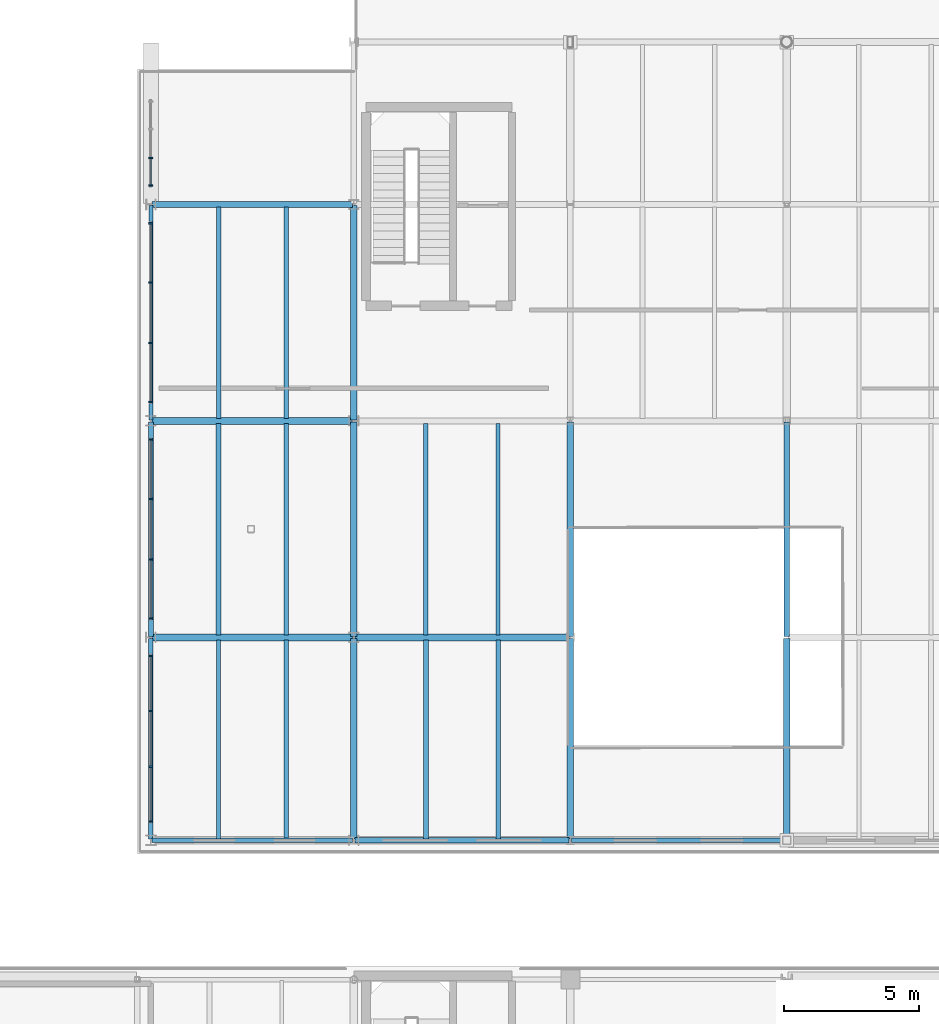
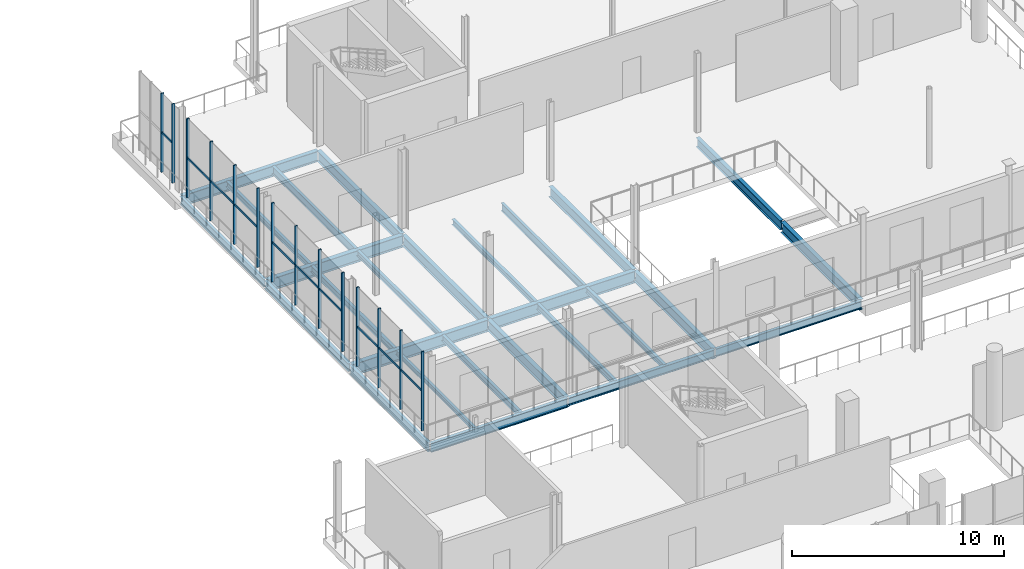
# One storey, part 33 of 93: 27 beams, 24 members, 4 elements without a shape of their own.
"""IFC4 building model written with IfcOpenShell, lengths in metres."""

from ifc_helpers import new_model, si_unit, direction, frame, origin, origin_2d, place, context, subcontext, project, spatial, rectangle, i_section, extrude, material, material_profile, profile_set, type_object, element, aggregate, save


model = new_model("IFC4")

# Units and contexts
model_context = context("Model", 3, precision=1e-05, world=origin(), true_north=direction((0.0, 1.0)))
body_context = subcontext(model_context, "Body", "Model", "MODEL_VIEW")
ifc_project = project(units=[si_unit("LENGTHUNIT", "METRE"), si_unit("AREAUNIT", "SQUARE_METRE"), si_unit("VOLUMEUNIT", "CUBIC_METRE"), si_unit("PLANEANGLEUNIT", "RADIAN"), si_unit("MASSUNIT", "GRAM", prefix="KILO")], contexts=[model_context])

# Site, building, storey
site_placement = place(None, origin())
site = spatial("IfcSite", under=ifc_project, at=site_placement, CompositionType="ELEMENT")
building_placement = place(site_placement, origin())
building = spatial("IfcBuilding", under=site, at=building_placement, Name="Brisemont Oceanarium", CompositionType="ELEMENT")
storey_placement = place(building_placement, frame((0.0, 0.0, 5.39990234375)))
storey = spatial("IfcBuildingStorey", under=building, at=storey_placement, Name="L01", CompositionType="ELEMENT", Elevation=5.39990234375)

# Beams
ifc_material_1 = material(Name="Structural Steel ASTM A992 Gr.50", Category="steel")
ifc_material_profile_1 = material_profile(ifc_material_1, i_section(OverallWidth=0.14599609375, OverallDepth=0.259033203125, WebThickness=0.006103515625, FlangeThickness=0.009033203125, FilletRadius=0.008056640625, at=origin_2d()), Name="W10X22")
ifc_profile_set_1 = profile_set([ifc_material_profile_1], Name="Structural Steel ASTM A992 Gr.50")
beam_type_1 = type_object("IfcBeamType", Name="BM-W10X22", PredefinedType="LINTEL", material=ifc_profile_set_1)
beam_1_placement = place(storey_placement, frame((19.0, 36.5400390625, -0.429443359375), z_axis=(0.0, 1.0, 0.0), x_axis=(-1.0, 0.0, 0.0)))
element("IfcBeam", 1, at=beam_1_placement, inside=storey, type_object=beam_type_1, Name="V5W L01 secondary floor beam", PredefinedType="LINTEL", context=body_context, shape_type="SweptSolid", body=[
    extrude(i_section(OverallWidth=0.14599609375, OverallDepth=0.259033203125, WebThickness=0.006103515625, FlangeThickness=0.009033203125, FilletRadius=0.008056640625, at=origin_2d()), origin(), (0.0, 0.0, 1.0), 7.369873046875),
])
ifc_material_2 = material(Name="Structural Steel ASTM A992 Gr.50", Category="steel")
ifc_material_profile_2 = material_profile(ifc_material_2, i_section(OverallWidth=0.1650390625, OverallDepth=0.31005859375, WebThickness=0.005859375, FlangeThickness=0.009765625, FilletRadius=0.008056640625, at=origin_2d()), Name="W12X26")
ifc_profile_set_2 = profile_set([ifc_material_profile_2], Name="Structural Steel ASTM A992 Gr.50")
beam_type_2 = type_object("IfcBeamType", Name="BM-W12X26", PredefinedType="JOIST", material=ifc_profile_set_2)
for number, where, z_axis, x_axis, name in (
    (2, (21.5, 44.090087890625, -0.454833984375), (0.0, 1.0, 0.0), (-1.0, 0.0, 0.0), "V5W L01 secondary floor beam"),
    (3, (19.0, 52.090087890625, -0.454833984375), (0.0, 1.0, 0.0), (-1.0, 0.0, 0.0), "V5W L01 secondary floor beam"),
):
    element("IfcBeam", number, at=place(storey_placement, frame(where, z_axis=z_axis, x_axis=x_axis)), inside=storey, type_object=beam_type_2, Name=name, PredefinedType="JOIST", context=body_context, shape_type="SweptSolid", body=[
        extrude(i_section(OverallWidth=0.1650390625, OverallDepth=0.31005859375, WebThickness=0.005859375, FlangeThickness=0.009765625, FilletRadius=0.008056640625, at=origin_2d()), origin(), (0.0, 0.0, 1.0), 7.81982421875),
    ])
beam_2_placement = place(storey_placement, frame((29.333251953125, 36.5400390625, -0.454833984375), z_axis=(0.0, 1.0, 0.0), x_axis=(-1.0, 0.0, 0.0)))
element("IfcBeam", 4, at=beam_2_placement, inside=storey, type_object=beam_type_2, Name="V5W L01 secondary floor beam", PredefinedType="JOIST", context=body_context, shape_type="SweptSolid", body=[
    extrude(i_section(OverallWidth=0.1650390625, OverallDepth=0.31005859375, WebThickness=0.005859375, FlangeThickness=0.009765625, FilletRadius=0.008056640625, at=origin_2d()), origin(), (0.0, 0.0, 1.0), 7.369873046875),
])
beam_3_placement = place(storey_placement, frame((26.666748046875, 44.090087890625, -0.454833984375), z_axis=(0.0, 1.0, 0.0), x_axis=(-1.0, 0.0, 0.0)))
element("IfcBeam", 5, at=beam_3_placement, inside=storey, type_object=beam_type_2, Name="V5W L01 secondary floor beam", PredefinedType="JOIST", context=body_context, shape_type="SweptSolid", body=[
    extrude(i_section(OverallWidth=0.1650390625, OverallDepth=0.31005859375, WebThickness=0.005859375, FlangeThickness=0.009765625, FilletRadius=0.008056640625, at=origin_2d()), origin(), (0.0, 0.0, 1.0), 7.81982421875),
])
ifc_material_3 = material(Name="Structural Steel ASTM A992 Gr.50", Category="steel")
ifc_material_profile_3 = material_profile(ifc_material_3, i_section(OverallWidth=0.1708984375, OverallDepth=0.35107421875, WebThickness=0.0068359375, FlangeThickness=0.009765625, FilletRadius=0.010009765625, at=origin_2d()), Name="W14X30")
ifc_profile_set_3 = profile_set([ifc_material_profile_3], Name="Structural Steel ASTM A992 Gr.50")
beam_type_3 = type_object("IfcBeamType", Name="BM-W14X30", PredefinedType="JOIST", material=ifc_profile_set_3)
beam_4_placement = place(storey_placement, frame((21.5, 36.5400390625, -0.475341796875), z_axis=(0.0, 1.0, 0.0), x_axis=(-1.0, 0.0, 0.0)))
element("IfcBeam", 6, at=beam_4_placement, inside=storey, type_object=beam_type_3, Name="V5W L01 secondary floor beam", PredefinedType="JOIST", context=body_context, shape_type="SweptSolid", body=[
    extrude(i_section(OverallWidth=0.1708984375, OverallDepth=0.35107421875, WebThickness=0.0068359375, FlangeThickness=0.009765625, FilletRadius=0.010009765625, at=origin_2d()), origin(), (0.0, 0.0, 1.0), 7.369873046875),
])
beam_5_placement = place(storey_placement, frame((19.0, 44.090087890625, -0.475341796875), z_axis=(0.0, 1.0, 0.0), x_axis=(-1.0, 0.0, 0.0)))
element("IfcBeam", 7, at=beam_5_placement, inside=storey, type_object=beam_type_3, Name="V5W L01 secondary floor beam", PredefinedType="JOIST", context=body_context, shape_type="SweptSolid", body=[
    extrude(i_section(OverallWidth=0.1708984375, OverallDepth=0.35107421875, WebThickness=0.0068359375, FlangeThickness=0.009765625, FilletRadius=0.010009765625, at=origin_2d()), origin(), (0.0, 0.0, 1.0), 7.81982421875),
])
beam_6_placement = place(storey_placement, frame((26.666748046875, 36.5400390625, -0.475341796875), z_axis=(0.0, 1.0, 0.0), x_axis=(-1.0, 0.0, 0.0)))
element("IfcBeam", 8, at=beam_6_placement, inside=storey, type_object=beam_type_3, Name="V5W L01 secondary floor beam", PredefinedType="JOIST", context=body_context, shape_type="SweptSolid", body=[
    extrude(i_section(OverallWidth=0.1708984375, OverallDepth=0.35107421875, WebThickness=0.0068359375, FlangeThickness=0.009765625, FilletRadius=0.010009765625, at=origin_2d()), origin(), (0.0, 0.0, 1.0), 7.369873046875),
])
ifc_material_4 = material(Name="Structural Steel ASTM A992 Gr.50", Category="steel")
ifc_material_profile_4 = material_profile(ifc_material_4, i_section(OverallWidth=0.153076171875, OverallDepth=0.455078125, WebThickness=0.008056640625, FlangeThickness=0.01318359375, FilletRadius=0.010986328125, at=origin_2d()), Name="W18X40")
ifc_profile_set_4 = profile_set([ifc_material_profile_4], Name="Structural Steel ASTM A992 Gr.50")
beam_type_4 = type_object("IfcBeamType", Name="BM-W18X40", PredefinedType="JOIST", material=ifc_profile_set_4)
for number, where, z_axis, x_axis, name in (
    (9, (21.5, 52.090087890625, -0.52734375), (0.0, 1.0, 0.0), (-1.0, 0.0, 0.0), "V5W L01 secondary floor beam"),
    (10, (29.333251953125, 44.090087890625, -0.52734375), (0.0, 1.0, 0.0), (-1.0, 0.0, 0.0), "V5W L01 secondary floor beam"),
):
    element("IfcBeam", number, at=place(storey_placement, frame(where, z_axis=z_axis, x_axis=x_axis)), inside=storey, type_object=beam_type_4, Name=name, PredefinedType="JOIST", context=body_context, shape_type="SweptSolid", body=[
        extrude(i_section(OverallWidth=0.153076171875, OverallDepth=0.455078125, WebThickness=0.008056640625, FlangeThickness=0.01318359375, FilletRadius=0.010986328125, at=origin_2d()), origin(), (0.0, 0.0, 1.0), 7.81982421875),
    ])
ifc_material_5 = material(Name="Structural Steel ASTM A992 Gr.50", Category="steel")
ifc_material_profile_5 = material_profile(ifc_material_5, i_section(OverallWidth=0.154052734375, OverallDepth=0.458984375, WebThickness=0.009033203125, FlangeThickness=0.015380859375, FilletRadius=0.010986328125, at=origin_2d()), Name="W18X46")
ifc_profile_set_5 = profile_set([ifc_material_profile_5], Name="Structural Steel ASTM A992 Gr.50")
beam_type_5 = type_object("IfcBeamType", Name="BM-W18X46", PredefinedType="SPANDREL", material=ifc_profile_set_5)
for number, where, z_axis, x_axis, name in (
    (11, (32.0400390625, 36.5, -0.529296875), (1.0, 0.0, 0.0), (0.0, 1.0, 0.0), "V5W L01 EW girder"),
    (12, (16.5, 52.0400390625, -0.529296875), (0.0, 1.0, 0.0), (-1.0, 0.0, 0.0), "V5W L01 NS girder"),
):
    element("IfcBeam", number, at=place(storey_placement, frame(where, z_axis=z_axis, x_axis=x_axis)), inside=storey, type_object=beam_type_5, Name=name, PredefinedType="SPANDREL", context=body_context, shape_type="SweptSolid", body=[
        extrude(i_section(OverallWidth=0.154052734375, OverallDepth=0.458984375, WebThickness=0.009033203125, FlangeThickness=0.015380859375, FilletRadius=0.010986328125, at=origin_2d()), origin(), (0.0, 0.0, 1.0), 7.919921875),
    ])
ifc_material_6 = material(Name="Structural Steel ASTM A992 Gr.50", Category="steel")
ifc_material_profile_6 = material_profile(ifc_material_6, i_section(OverallWidth=0.19091796875, OverallDepth=0.4599609375, WebThickness=0.010009765625, FlangeThickness=0.01611328125, FilletRadius=0.010986328125, at=origin_2d()), Name="W18X55")
ifc_profile_set_6 = profile_set([ifc_material_profile_6], Name="Structural Steel ASTM A992 Gr.50")
beam_type_6 = type_object("IfcBeamType", Name="BM-W18X55", PredefinedType="SPANDREL", material=ifc_profile_set_6)
for number, where, z_axis, x_axis, name in (
    (13, (24.0400390625, 36.5, -0.52978515625), (1.0, 0.0, 0.0), (0.0, 1.0, 0.0), "V5W L01 EW girder"),
    (14, (16.5, 44.0400390625, -0.52978515625), (0.0, 1.0, 0.0), (-1.0, 0.0, 0.0), "V5W L01 NS girder"),
):
    element("IfcBeam", number, at=place(storey_placement, frame(where, z_axis=z_axis, x_axis=x_axis)), inside=storey, type_object=beam_type_6, Name=name, PredefinedType="SPANDREL", context=body_context, shape_type="SweptSolid", body=[
        extrude(i_section(OverallWidth=0.19091796875, OverallDepth=0.4599609375, WebThickness=0.010009765625, FlangeThickness=0.01611328125, FilletRadius=0.010986328125, at=origin_2d()), origin(), (0.0, 0.0, 1.0), 7.919921875),
    ])
ifc_material_7 = material(Name="Structural Steel ASTM A992 Gr.50", Category="steel")
ifc_material_profile_7 = material_profile(ifc_material_7, i_section(OverallWidth=0.166015625, OverallDepth=0.528076171875, WebThickness=0.009765625, FlangeThickness=0.013671875, FilletRadius=0.012939453125, at=origin_2d()), Name="W21X50")
ifc_profile_set_7 = profile_set([ifc_material_profile_7], Name="Structural Steel ASTM A992 Gr.50")
beam_type_7 = type_object("IfcBeamType", Name="BM-W21X50", PredefinedType="SPANDREL", material=ifc_profile_set_7)
for number, where, z_axis, x_axis, name in (
    (15, (16.5400390625, 36.5, -0.56396484375), (1.0, 0.0, 0.0), (0.0, 1.0, 0.0), "V5W L01 EW girder"),
    (16, (16.5, 36.5400390625, -0.56396484375), (0.0, 1.0, 0.0), (-1.0, 0.0, 0.0), "V5W L01 NS girder"),
):
    element("IfcBeam", number, at=place(storey_placement, frame(where, z_axis=z_axis, x_axis=x_axis)), inside=storey, type_object=beam_type_7, Name=name, PredefinedType="SPANDREL", context=body_context, shape_type="SweptSolid", body=[
        extrude(i_section(OverallWidth=0.166015625, OverallDepth=0.528076171875, WebThickness=0.009765625, FlangeThickness=0.013671875, FilletRadius=0.012939453125, at=origin_2d()), origin(), (0.0, 0.0, 1.0), 7.419921875),
    ])
ifc_material_8 = material(Name="Structural Steel ASTM A992 Gr.50", Category="steel")
ifc_material_profile_8 = material_profile(ifc_material_8, i_section(OverallWidth=0.2099609375, OverallDepth=0.532958984375, WebThickness=0.01025390625, FlangeThickness=0.015625, FilletRadius=0.012939453125, at=origin_2d()), Name="W21X62")
ifc_profile_set_8 = profile_set([ifc_material_profile_8], Name="Structural Steel ASTM A992 Gr.50")
beam_type_8 = type_object("IfcBeamType", Name="BM-W21X62", PredefinedType="BEAM", material=ifc_profile_set_8)
beam_7_placement = place(storey_placement, frame((40.0, 44.0400390625, -0.56640625), z_axis=(0.0, 1.0, 0.0), x_axis=(-1.0, 0.0, 0.0)))
element("IfcBeam", 17, at=beam_7_placement, inside=storey, type_object=beam_type_8, Name="V5W L01 NS girder", PredefinedType="BEAM", context=body_context, shape_type="SweptSolid", body=[
    extrude(i_section(OverallWidth=0.2099609375, OverallDepth=0.532958984375, WebThickness=0.01025390625, FlangeThickness=0.015625, FilletRadius=0.012939453125, at=origin_2d()), origin(), (0.0, 0.0, 1.0), 7.919921875),
])
ifc_material_9 = material(Name="Structural Steel ASTM A992 Gr.50", Category="steel")
ifc_material_profile_9 = material_profile(ifc_material_9, i_section(OverallWidth=0.22802734375, OverallDepth=0.60205078125, WebThickness=0.010498046875, FlangeThickness=0.014892578125, FilletRadius=0.012939453125, at=origin_2d()), Name="W24X68")
ifc_profile_set_9 = profile_set([ifc_material_profile_9], Name="Structural Steel ASTM A992 Gr.50")
beam_type_9 = type_object("IfcBeamType", Name="BM-W24X68", PredefinedType="BEAM", material=ifc_profile_set_9)
for number, where, z_axis, x_axis, name in (
    (18, (24.0, 52.0400390625, -0.600830078125), (0.0, 1.0, 0.0), (-1.0, 0.0, 0.0), "V5W L01 NS girder"),
    (19, (32.0, 44.0400390625, -0.600830078125), (0.0, 1.0, 0.0), (-1.0, 0.0, 0.0), "V5W L01 NS girder"),
):
    element("IfcBeam", number, at=place(storey_placement, frame(where, z_axis=z_axis, x_axis=x_axis)), inside=storey, type_object=beam_type_9, Name=name, PredefinedType="BEAM", context=body_context, shape_type="SweptSolid", body=[
        extrude(i_section(OverallWidth=0.22802734375, OverallDepth=0.60205078125, WebThickness=0.010498046875, FlangeThickness=0.014892578125, FilletRadius=0.012939453125, at=origin_2d()), origin(), (0.0, 0.0, 1.0), 7.919921875),
    ])
beam_8_placement = place(storey_placement, frame((40.0, 36.5400390625, -0.600830078125), z_axis=(0.0, 1.0, 0.0), x_axis=(-1.0, 0.0, 0.0)))
element("IfcBeam", 20, at=beam_8_placement, inside=storey, type_object=beam_type_9, Name="V5W L01 NS girder", PredefinedType="BEAM", context=body_context, shape_type="SweptSolid", body=[
    extrude(i_section(OverallWidth=0.22802734375, OverallDepth=0.60205078125, WebThickness=0.010498046875, FlangeThickness=0.014892578125, FilletRadius=0.012939453125, at=origin_2d()), origin(), (0.0, 0.0, 1.0), 7.419921875),
])
ifc_material_10 = material(Name="Structural Steel ASTM A992 Gr.50", Category="steel")
ifc_material_profile_10 = material_profile(ifc_material_10, i_section(OverallWidth=0.22802734375, OverallDepth=0.60791015625, WebThickness=0.01123046875, FlangeThickness=0.017333984375, FilletRadius=0.012939453125, at=origin_2d()), Name="W24X76")
ifc_profile_set_10 = profile_set([ifc_material_profile_10], Name="Structural Steel ASTM A992 Gr.50")
beam_type_10 = type_object("IfcBeamType", Name="BM-W24X76", PredefinedType="BEAM", material=ifc_profile_set_10)
beam_9_placement = place(storey_placement, frame((24.0, 44.0400390625, -0.60400390625), z_axis=(0.0, 1.0, 0.0), x_axis=(-1.0, 0.0, 0.0)))
element("IfcBeam", 21, at=beam_9_placement, inside=storey, type_object=beam_type_10, Name="V5W L01 NS girder", PredefinedType="BEAM", context=body_context, shape_type="SweptSolid", body=[
    extrude(i_section(OverallWidth=0.22802734375, OverallDepth=0.60791015625, WebThickness=0.01123046875, FlangeThickness=0.017333984375, FilletRadius=0.012939453125, at=origin_2d()), origin(), (0.0, 0.0, 1.0), 7.919921875),
])
beam_10_placement = place(storey_placement, frame((32.0, 36.5400390625, -0.60400390625), z_axis=(0.0, 1.0, 0.0), x_axis=(-1.0, 0.0, 0.0)))
element("IfcBeam", 22, at=beam_10_placement, inside=storey, type_object=beam_type_10, Name="V5W L01 NS girder", PredefinedType="BEAM", context=body_context, shape_type="SweptSolid", body=[
    extrude(i_section(OverallWidth=0.22802734375, OverallDepth=0.60791015625, WebThickness=0.01123046875, FlangeThickness=0.017333984375, FilletRadius=0.012939453125, at=origin_2d()), origin(), (0.0, 0.0, 1.0), 7.419921875),
])
ifc_material_11 = material(Name="Structural Steel ASTM A992 Gr.50", Category="steel")
ifc_material_profile_11 = material_profile(ifc_material_11, i_section(OverallWidth=0.22900390625, OverallDepth=0.612060546875, WebThickness=0.011962890625, FlangeThickness=0.01953125, FilletRadius=0.012939453125, at=origin_2d()), Name="W24X84")
ifc_profile_set_11 = profile_set([ifc_material_profile_11], Name="Structural Steel ASTM A992 Gr.50")
beam_type_11 = type_object("IfcBeamType", Name="BM-W24X84", PredefinedType="BEAM", material=ifc_profile_set_11)
for number, where, z_axis, x_axis, name in (
    (23, (16.5400390625, 60.0, -0.60595703125), (1.0, 0.0, 0.0), (0.0, 1.0, 0.0), "V5W L01 EW girder"),
    (24, (24.0, 36.5400390625, -0.60595703125), (0.0, 1.0, 0.0), (-1.0, 0.0, 0.0), "V5W L01 NS girder"),
):
    element("IfcBeam", number, at=place(storey_placement, frame(where, z_axis=z_axis, x_axis=x_axis)), inside=storey, type_object=beam_type_11, Name=name, PredefinedType="BEAM", context=body_context, shape_type="SweptSolid", body=[
        extrude(i_section(OverallWidth=0.22900390625, OverallDepth=0.612060546875, WebThickness=0.011962890625, FlangeThickness=0.01953125, FilletRadius=0.012939453125, at=origin_2d()), origin(), (0.0, 0.0, 1.0), 7.419921875),
    ])
ifc_material_12 = material(Name="Structural Steel ASTM A992 Gr.50", Category="steel")
ifc_material_profile_12 = material_profile(ifc_material_12, i_section(OverallWidth=0.2529296875, OverallDepth=0.677978515625, WebThickness=0.01171875, FlangeThickness=0.016357421875, FilletRadius=0.014892578125, at=origin_2d()), Name="W27X84")
ifc_profile_set_12 = profile_set([ifc_material_profile_12], Name="Structural Steel ASTM A992 Gr.50")
beam_type_12 = type_object("IfcBeamType", Name="BM-W27X84", PredefinedType="BEAM", material=ifc_profile_set_12)
beam_11_placement = place(storey_placement, frame((24.0400390625, 44.0, -0.638916015625), z_axis=(1.0, 0.0, 0.0), x_axis=(0.0, 1.0, 0.0)))
element("IfcBeam", 25, at=beam_11_placement, inside=storey, type_object=beam_type_12, Name="V5W L01 EW girder", PredefinedType="BEAM", context=body_context, shape_type="SweptSolid", body=[
    extrude(i_section(OverallWidth=0.2529296875, OverallDepth=0.677978515625, WebThickness=0.01171875, FlangeThickness=0.016357421875, FilletRadius=0.014892578125, at=origin_2d()), origin(), (0.0, 0.0, 1.0), 7.919921875),
])
beam_12_placement = place(storey_placement, frame((16.5400390625, 52.0, -0.638916015625), z_axis=(1.0, 0.0, 0.0), x_axis=(0.0, 1.0, 0.0)))
element("IfcBeam", 26, at=beam_12_placement, inside=storey, type_object=beam_type_12, Name="V5W L01 EW girder", PredefinedType="BEAM", context=body_context, shape_type="SweptSolid", body=[
    extrude(i_section(OverallWidth=0.2529296875, OverallDepth=0.677978515625, WebThickness=0.01171875, FlangeThickness=0.016357421875, FilletRadius=0.014892578125, at=origin_2d()), origin(), (0.0, 0.0, 1.0), 7.419921875),
])
ifc_material_13 = material(Name="Structural Steel ASTM A992 Gr.50", Category="steel")
ifc_material_profile_13 = material_profile(ifc_material_13, i_section(OverallWidth=0.25390625, OverallDepth=0.68310546875, WebThickness=0.012451171875, FlangeThickness=0.018798828125, FilletRadius=0.014892578125, at=origin_2d()), Name="W27X94")
ifc_profile_set_13 = profile_set([ifc_material_profile_13], Name="Structural Steel ASTM A992 Gr.50")
beam_type_13 = type_object("IfcBeamType", Name="BM-W27X94", PredefinedType="BEAM", material=ifc_profile_set_13)
beam_13_placement = place(storey_placement, frame((16.5400390625, 44.0, -0.641357421875), z_axis=(1.0, 0.0, 0.0), x_axis=(0.0, 1.0, 0.0)))
element("IfcBeam", 27, at=beam_13_placement, inside=storey, type_object=beam_type_13, Name="V5W L01 EW girder", PredefinedType="BEAM", context=body_context, shape_type="SweptSolid", body=[
    extrude(i_section(OverallWidth=0.25390625, OverallDepth=0.68310546875, WebThickness=0.012451171875, FlangeThickness=0.018798828125, FilletRadius=0.014892578125, at=origin_2d()), origin(), (0.0, 0.0, 1.0), 7.419921875),
])

# Curtain wall, members
ifc_material_14 = material(Name="Anodized Extruded Aluminum 6063-T6", Category="aluminium")
curtain_wall_type = type_object("IfcCurtainWallType", Name="CW-GAL-61X43", PredefinedType="NOTDEFINED", material=ifc_material_14)
curtain_wall_1_placement = place(storey_placement, origin())
curtain_wall_1 = element("IfcCurtainWall", 28, at=curtain_wall_1_placement, inside=storey, type_object=curtain_wall_type, Name="CW-13 curtain wall CW-V5W-W-L01-01", PredefinedType="NOTDEFINED")
ifc_material_15 = material(Name="Anodized Extruded Aluminum 6063-T6", Category="aluminium")
ifc_material_profile_14 = material_profile(ifc_material_15, rectangle(XDim=0.06005859375, YDim=0.14990234375, at=origin_2d()), Name="CWM-60X150")
ifc_profile_set_14 = profile_set([ifc_material_profile_14], Name="Anodized Extruded Aluminum 6063-T6")
member_type_1 = type_object("IfcMemberType", Name="MEM-CWM-60", PredefinedType="MULLION", material=ifc_profile_set_14)
member_1_placement = place(storey_placement, frame((16.5, 37.195068359375, 0.0), z_axis=(0.0, 0.0, 1.0), x_axis=(0.0, 1.0, 0.0)))
member_1 = element("IfcMember", 29, at=member_1_placement, type_object=member_type_1, Name="CW-V5W-W-L01-01 mullion 1", PredefinedType="MULLION", context=body_context, shape_type="SweptSolid", body=[
    extrude(rectangle(XDim=0.06005859375, YDim=0.14990234375, at=origin_2d()), origin(), (0.0, 0.0, 1.0), 4.5400390625),
])
member_2_placement = place(storey_placement, frame((16.5, 39.216796875, 0.0), z_axis=(0.0, 0.0, 1.0), x_axis=(0.0, 1.0, 0.0)))
member_2 = element("IfcMember", 30, at=member_2_placement, type_object=member_type_1, Name="CW-V5W-W-L01-01 mullion 2", PredefinedType="MULLION", context=body_context, shape_type="SweptSolid", body=[
    extrude(rectangle(XDim=0.06005859375, YDim=0.14990234375, at=origin_2d()), origin(), (0.0, 0.0, 1.0), 4.5400390625),
])
member_3_placement = place(storey_placement, frame((16.5, 41.283203125, 0.0), z_axis=(0.0, 0.0, 1.0), x_axis=(0.0, 1.0, 0.0)))
member_3 = element("IfcMember", 31, at=member_3_placement, type_object=member_type_1, Name="CW-V5W-W-L01-01 mullion 3", PredefinedType="MULLION", context=body_context, shape_type="SweptSolid", body=[
    extrude(rectangle(XDim=0.06005859375, YDim=0.14990234375, at=origin_2d()), origin(), (0.0, 0.0, 1.0), 4.5400390625),
])
member_4_placement = place(storey_placement, frame((16.5, 43.304931640625, 0.0), z_axis=(0.0, 0.0, 1.0), x_axis=(0.0, 1.0, 0.0)))
member_4 = element("IfcMember", 32, at=member_4_placement, type_object=member_type_1, Name="CW-V5W-W-L01-01 mullion 4", PredefinedType="MULLION", context=body_context, shape_type="SweptSolid", body=[
    extrude(rectangle(XDim=0.06005859375, YDim=0.14990234375, at=origin_2d()), origin(), (0.0, 0.0, 1.0), 4.5400390625),
])

curtain_wall_2_placement = place(storey_placement, origin())
curtain_wall_2 = element("IfcCurtainWall", 33, at=curtain_wall_2_placement, inside=storey, type_object=curtain_wall_type, Name="CW-13 curtain wall CW-V5W-W-L01-02", PredefinedType="NOTDEFINED")
member_5_placement = place(storey_placement, frame((16.5, 44.695068359375, 0.0), z_axis=(0.0, 0.0, 1.0), x_axis=(0.0, 1.0, 0.0)))
member_5 = element("IfcMember", 34, at=member_5_placement, type_object=member_type_1, Name="CW-V5W-W-L01-02 mullion 1", PredefinedType="MULLION", context=body_context, shape_type="SweptSolid", body=[
    extrude(rectangle(XDim=0.06005859375, YDim=0.14990234375, at=origin_2d()), origin(), (0.0, 0.0, 1.0), 4.5400390625),
])
member_6_placement = place(storey_placement, frame((16.5, 46.88330078125, 0.0), z_axis=(0.0, 0.0, 1.0), x_axis=(0.0, 1.0, 0.0)))
member_6 = element("IfcMember", 35, at=member_6_placement, type_object=member_type_1, Name="CW-V5W-W-L01-02 mullion 2", PredefinedType="MULLION", context=body_context, shape_type="SweptSolid", body=[
    extrude(rectangle(XDim=0.06005859375, YDim=0.14990234375, at=origin_2d()), origin(), (0.0, 0.0, 1.0), 4.5400390625),
])
member_7_placement = place(storey_placement, frame((16.5, 49.11669921875, 0.0), z_axis=(0.0, 0.0, 1.0), x_axis=(0.0, 1.0, 0.0)))
member_7 = element("IfcMember", 36, at=member_7_placement, type_object=member_type_1, Name="CW-V5W-W-L01-02 mullion 3", PredefinedType="MULLION", context=body_context, shape_type="SweptSolid", body=[
    extrude(rectangle(XDim=0.06005859375, YDim=0.14990234375, at=origin_2d()), origin(), (0.0, 0.0, 1.0), 4.5400390625),
])
member_8_placement = place(storey_placement, frame((16.5, 51.304931640625, 0.0), z_axis=(0.0, 0.0, 1.0), x_axis=(0.0, 1.0, 0.0)))
member_8 = element("IfcMember", 37, at=member_8_placement, type_object=member_type_1, Name="CW-V5W-W-L01-02 mullion 4", PredefinedType="MULLION", context=body_context, shape_type="SweptSolid", body=[
    extrude(rectangle(XDim=0.06005859375, YDim=0.14990234375, at=origin_2d()), origin(), (0.0, 0.0, 1.0), 4.5400390625),
])

curtain_wall_3_placement = place(storey_placement, origin())
curtain_wall_3 = element("IfcCurtainWall", 38, at=curtain_wall_3_placement, inside=storey, type_object=curtain_wall_type, Name="CW-13 curtain wall CW-V5W-W-L01-03", PredefinedType="NOTDEFINED")
member_9_placement = place(storey_placement, frame((16.5, 52.695068359375, 0.0), z_axis=(0.0, 0.0, 1.0), x_axis=(0.0, 1.0, 0.0)))
member_9 = element("IfcMember", 39, at=member_9_placement, type_object=member_type_1, Name="CW-V5W-W-L01-03 mullion 1", PredefinedType="MULLION", context=body_context, shape_type="SweptSolid", body=[
    extrude(rectangle(XDim=0.06005859375, YDim=0.14990234375, at=origin_2d()), origin(), (0.0, 0.0, 1.0), 4.5400390625),
])
member_10_placement = place(storey_placement, frame((16.5, 54.88330078125, 0.0), z_axis=(0.0, 0.0, 1.0), x_axis=(0.0, 1.0, 0.0)))
member_10 = element("IfcMember", 40, at=member_10_placement, type_object=member_type_1, Name="CW-V5W-W-L01-03 mullion 2", PredefinedType="MULLION", context=body_context, shape_type="SweptSolid", body=[
    extrude(rectangle(XDim=0.06005859375, YDim=0.14990234375, at=origin_2d()), origin(), (0.0, 0.0, 1.0), 4.5400390625),
])
member_11_placement = place(storey_placement, frame((16.5, 57.11669921875, 0.0), z_axis=(0.0, 0.0, 1.0), x_axis=(0.0, 1.0, 0.0)))
member_11 = element("IfcMember", 41, at=member_11_placement, type_object=member_type_1, Name="CW-V5W-W-L01-03 mullion 3", PredefinedType="MULLION", context=body_context, shape_type="SweptSolid", body=[
    extrude(rectangle(XDim=0.06005859375, YDim=0.14990234375, at=origin_2d()), origin(), (0.0, 0.0, 1.0), 4.5400390625),
])
member_12_placement = place(storey_placement, frame((16.5, 59.304931640625, 0.0), z_axis=(0.0, 0.0, 1.0), x_axis=(0.0, 1.0, 0.0)))
member_12 = element("IfcMember", 42, at=member_12_placement, type_object=member_type_1, Name="CW-V5W-W-L01-03 mullion 4", PredefinedType="MULLION", context=body_context, shape_type="SweptSolid", body=[
    extrude(rectangle(XDim=0.06005859375, YDim=0.14990234375, at=origin_2d()), origin(), (0.0, 0.0, 1.0), 4.5400390625),
])

curtain_wall_4_placement = place(storey_placement, origin())
curtain_wall_4 = element("IfcCurtainWall", 43, at=curtain_wall_4_placement, inside=storey, type_object=curtain_wall_type, Name="CW-13 curtain wall CW-V5W-W-L01-04", PredefinedType="NOTDEFINED")
member_13_placement = place(storey_placement, frame((16.5, 60.695068359375, 0.0), z_axis=(0.0, 0.0, 1.0), x_axis=(0.0, 1.0, 0.0)))
member_13 = element("IfcMember", 44, at=member_13_placement, type_object=member_type_1, Name="CW-V5W-W-L01-04 mullion 1", PredefinedType="MULLION", context=body_context, shape_type="SweptSolid", body=[
    extrude(rectangle(XDim=0.06005859375, YDim=0.14990234375, at=origin_2d()), origin(), (0.0, 0.0, 1.0), 4.5400390625),
])
member_14_placement = place(storey_placement, frame((16.5, 61.716796875, 0.0), z_axis=(0.0, 0.0, 1.0), x_axis=(0.0, 1.0, 0.0)))
member_14 = element("IfcMember", 45, at=member_14_placement, type_object=member_type_1, Name="CW-V5W-W-L01-04 mullion 2", PredefinedType="MULLION", context=body_context, shape_type="SweptSolid", body=[
    extrude(rectangle(XDim=0.06005859375, YDim=0.14990234375, at=origin_2d()), origin(), (0.0, 0.0, 1.0), 4.5400390625),
])

# Member
ifc_material_16 = material(Name="Anodized Extruded Aluminum 6063-T6", Category="aluminium")
ifc_material_profile_15 = material_profile(ifc_material_16, rectangle(XDim=0.06005859375, YDim=0.1201171875, at=origin_2d()), Name="CWT-60X120")
ifc_profile_set_15 = profile_set([ifc_material_profile_15], Name="Anodized Extruded Aluminum 6063-T6")
member_type_2 = type_object("IfcMemberType", Name="MEM-CWT-60", PredefinedType="USERDEFINED", material=ifc_profile_set_15)
member_15_placement = place(storey_placement, frame((16.5, 37.1650390625, 2.27001953125), z_axis=(0.0, 1.0, 0.0), x_axis=(-1.0, 0.0, 0.0)))
member_15 = element("IfcMember", 46, at=member_15_placement, type_object=member_type_2, Name="CW-V5W-W-L01-01 transom 1.1", ObjectType="TRANSOM", PredefinedType="USERDEFINED", context=body_context, shape_type="SweptSolid", body=[
    extrude(rectangle(XDim=0.06005859375, YDim=0.1201171875, at=origin_2d()), origin(), (0.0, 0.0, 1.0), 2.03662109375),
])

member_16_placement = place(storey_placement, frame((16.5, 39.231689453125, 2.27001953125), z_axis=(0.0, 1.0, 0.0), x_axis=(-1.0, 0.0, 0.0)))
member_16 = element("IfcMember", 47, at=member_16_placement, type_object=member_type_2, Name="CW-V5W-W-L01-01 transom 2.1", ObjectType="TRANSOM", PredefinedType="USERDEFINED", context=body_context, shape_type="SweptSolid", body=[
    extrude(rectangle(XDim=0.06005859375, YDim=0.1201171875, at=origin_2d()), origin(), (0.0, 0.0, 1.0), 2.03662109375),
])

member_17_placement = place(storey_placement, frame((16.5, 41.29833984375, 2.27001953125), z_axis=(0.0, 1.0, 0.0), x_axis=(-1.0, 0.0, 0.0)))
member_17 = element("IfcMember", 48, at=member_17_placement, type_object=member_type_2, Name="CW-V5W-W-L01-01 transom 3.1", ObjectType="TRANSOM", PredefinedType="USERDEFINED", context=body_context, shape_type="SweptSolid", body=[
    extrude(rectangle(XDim=0.06005859375, YDim=0.1201171875, at=origin_2d()), origin(), (0.0, 0.0, 1.0), 2.03662109375),
])

aggregate(curtain_wall_1, [member_1, member_2, member_3, member_4, member_15, member_16, member_17])

member_18_placement = place(storey_placement, frame((16.5, 44.6650390625, 2.27001953125), z_axis=(0.0, 1.0, 0.0), x_axis=(-1.0, 0.0, 0.0)))
member_18 = element("IfcMember", 49, at=member_18_placement, type_object=member_type_2, Name="CW-V5W-W-L01-02 transom 1.1", ObjectType="TRANSOM", PredefinedType="USERDEFINED", context=body_context, shape_type="SweptSolid", body=[
    extrude(rectangle(XDim=0.06005859375, YDim=0.1201171875, at=origin_2d()), origin(), (0.0, 0.0, 1.0), 2.203369140625),
])

member_19_placement = place(storey_placement, frame((16.5, 46.898193359375, 2.27001953125), z_axis=(0.0, 1.0, 0.0), x_axis=(-1.0, 0.0, 0.0)))
member_19 = element("IfcMember", 50, at=member_19_placement, type_object=member_type_2, Name="CW-V5W-W-L01-02 transom 2.1", ObjectType="TRANSOM", PredefinedType="USERDEFINED", context=body_context, shape_type="SweptSolid", body=[
    extrude(rectangle(XDim=0.06005859375, YDim=0.1201171875, at=origin_2d()), origin(), (0.0, 0.0, 1.0), 2.20361328125),
])

member_20_placement = place(storey_placement, frame((16.5, 49.131591796875, 2.27001953125), z_axis=(0.0, 1.0, 0.0), x_axis=(-1.0, 0.0, 0.0)))
member_20 = element("IfcMember", 51, at=member_20_placement, type_object=member_type_2, Name="CW-V5W-W-L01-02 transom 3.1", ObjectType="TRANSOM", PredefinedType="USERDEFINED", context=body_context, shape_type="SweptSolid", body=[
    extrude(rectangle(XDim=0.06005859375, YDim=0.1201171875, at=origin_2d()), origin(), (0.0, 0.0, 1.0), 2.203369140625),
])

aggregate(curtain_wall_2, [member_5, member_6, member_7, member_8, member_18, member_19, member_20])

member_21_placement = place(storey_placement, frame((16.5, 52.6650390625, 2.27001953125), z_axis=(0.0, 1.0, 0.0), x_axis=(-1.0, 0.0, 0.0)))
member_21 = element("IfcMember", 52, at=member_21_placement, type_object=member_type_2, Name="CW-V5W-W-L01-03 transom 1.1", ObjectType="TRANSOM", PredefinedType="USERDEFINED", context=body_context, shape_type="SweptSolid", body=[
    extrude(rectangle(XDim=0.06005859375, YDim=0.1201171875, at=origin_2d()), origin(), (0.0, 0.0, 1.0), 2.203369140625),
])

member_22_placement = place(storey_placement, frame((16.5, 54.898193359375, 2.27001953125), z_axis=(0.0, 1.0, 0.0), x_axis=(-1.0, 0.0, 0.0)))
member_22 = element("IfcMember", 53, at=member_22_placement, type_object=member_type_2, Name="CW-V5W-W-L01-03 transom 2.1", ObjectType="TRANSOM", PredefinedType="USERDEFINED", context=body_context, shape_type="SweptSolid", body=[
    extrude(rectangle(XDim=0.06005859375, YDim=0.1201171875, at=origin_2d()), origin(), (0.0, 0.0, 1.0), 2.20361328125),
])

member_23_placement = place(storey_placement, frame((16.5, 57.131591796875, 2.27001953125), z_axis=(0.0, 1.0, 0.0), x_axis=(-1.0, 0.0, 0.0)))
member_23 = element("IfcMember", 54, at=member_23_placement, type_object=member_type_2, Name="CW-V5W-W-L01-03 transom 3.1", ObjectType="TRANSOM", PredefinedType="USERDEFINED", context=body_context, shape_type="SweptSolid", body=[
    extrude(rectangle(XDim=0.06005859375, YDim=0.1201171875, at=origin_2d()), origin(), (0.0, 0.0, 1.0), 2.203369140625),
])

aggregate(curtain_wall_3, [member_9, member_10, member_11, member_12, member_21, member_22, member_23])

member_24_placement = place(storey_placement, frame((16.5, 60.6650390625, 2.27001953125), z_axis=(0.0, 1.0, 0.0), x_axis=(-1.0, 0.0, 0.0)))
member_24 = element("IfcMember", 55, at=member_24_placement, type_object=member_type_2, Name="CW-V5W-W-L01-04 transom 1.1", ObjectType="TRANSOM", PredefinedType="USERDEFINED", context=body_context, shape_type="SweptSolid", body=[
    extrude(rectangle(XDim=0.06005859375, YDim=0.1201171875, at=origin_2d()), origin(), (0.0, 0.0, 1.0), 1.03662109375),
])

aggregate(curtain_wall_4, [member_13, member_14, member_24])

save(model, "model.ifc")
